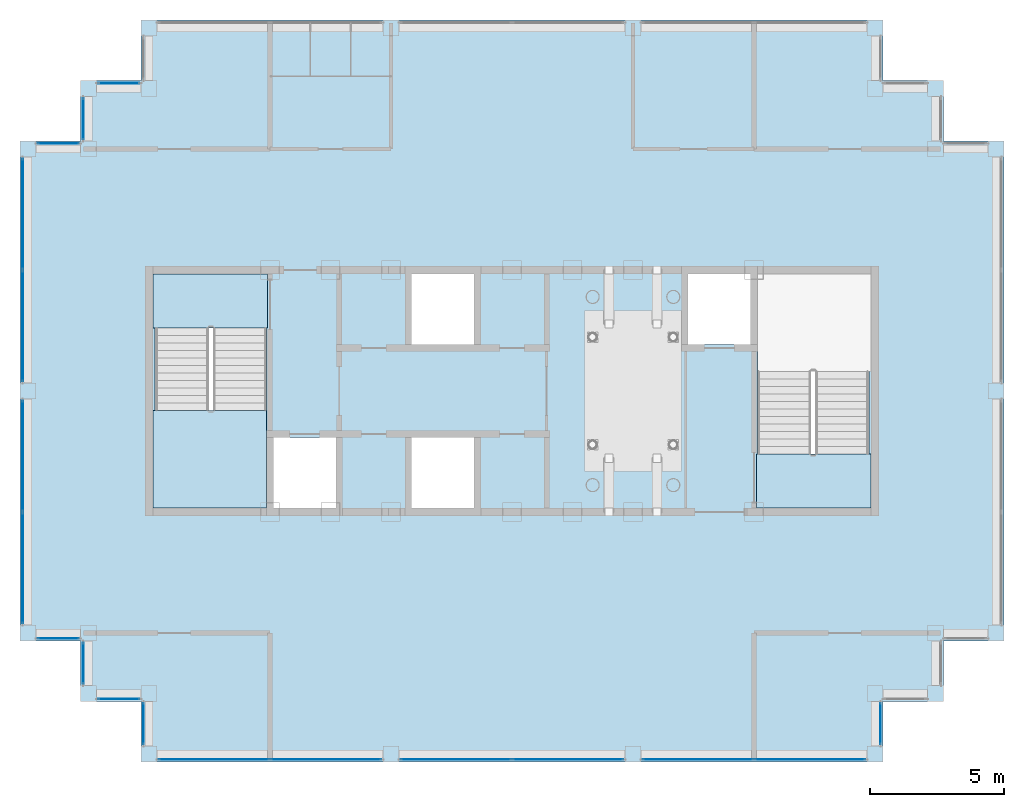
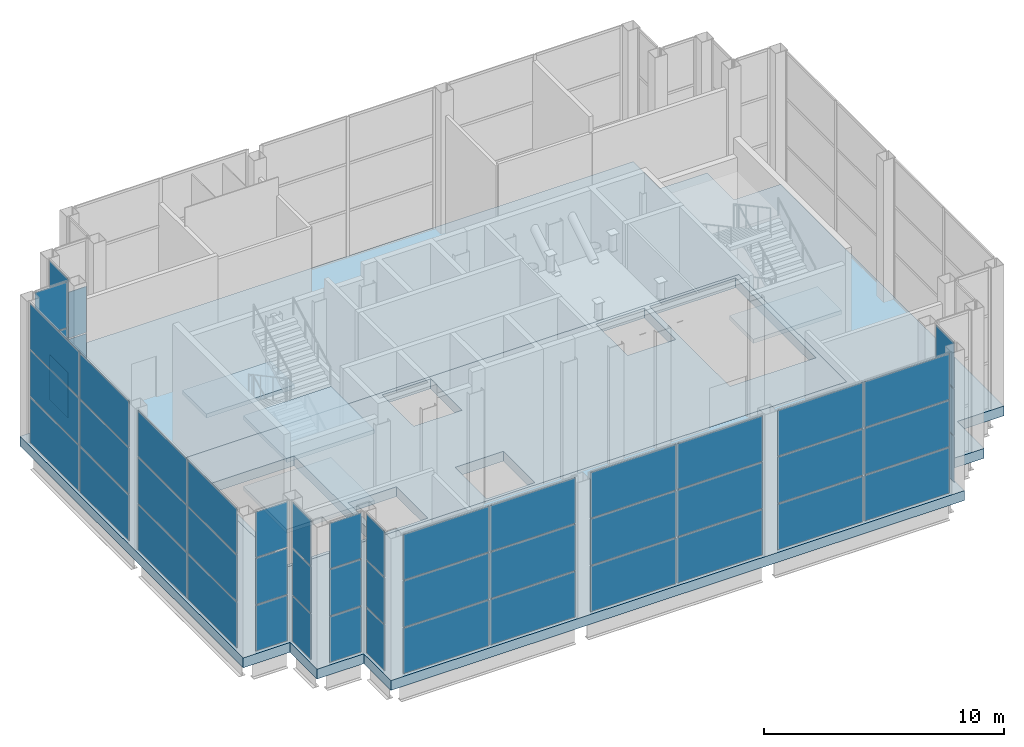
# One storey, part 7 of 15: 53 plates, 6 slabs, 15 elements without a shape of their own.
"""IFC4 building model written with IfcOpenShell, lengths in metres."""

from ifc_helpers import new_model, si_unit, direction, frame, origin, origin_2d, place, context, subcontext, project, spatial, polyline, rectangle, outline, extrude, material, layer, layer_set, type_object, element, aggregate, save


model = new_model("IFC4")

# Units and contexts
model_context = context("Model", 3, precision=1e-05, world=origin(), true_north=direction((0.0, 1.0)))
body_context = subcontext(model_context, "Body", "Model", "MODEL_VIEW")
ifc_project = project(units=[si_unit("LENGTHUNIT", "METRE"), si_unit("AREAUNIT", "SQUARE_METRE"), si_unit("VOLUMEUNIT", "CUBIC_METRE"), si_unit("PLANEANGLEUNIT", "RADIAN"), si_unit("MASSUNIT", "GRAM", prefix="KILO")], contexts=[model_context])

# Site, building, storey
site_placement = place(None, origin())
site = spatial("IfcSite", under=ifc_project, at=site_placement, CompositionType="ELEMENT")
building_placement = place(site_placement, origin())
building = spatial("IfcBuilding", under=site, at=building_placement, Name="Caravel Reach Hotel and Residences", CompositionType="ELEMENT")
storey_placement = place(building_placement, frame((0.0, 0.0, 305.60009765625)))
storey = spatial("IfcBuildingStorey", under=building, at=storey_placement, Name="L78", CompositionType="ELEMENT", Elevation=305.60009765625)

# Curtain wall, plates
ifc_material_1 = material(Name="Dark low-e glazing in black aluminium frame", Category="aluminium")
ifc_layer_1 = layer(ifc_material_1, 0.199951171875)
ifc_layer_set_1 = layer_set([ifc_layer_1], Name="CW3 Damper floor glass wall")
curtain_wall_type = type_object("IfcCurtainWallType", Name="CW3 Damper floor glass wall", PredefinedType="NOTDEFINED", material=ifc_layer_set_1)
curtain_wall_1_placement = place(storey_placement, origin())
curtain_wall_1 = element("IfcCurtainWall", 1, at=curtain_wall_1_placement, inside=storey, type_object=curtain_wall_type, Name="Damper floor glass wall b0", PredefinedType="NOTDEFINED")
ifc_material_2 = material(Name="Dark laminated low-e glass", Category="glass")
ifc_layer_2 = layer(ifc_material_2, 0.02392578125)
ifc_layer_set_2 = layer_set([ifc_layer_2], Name="CW glass panel 24")
plate_type = type_object("IfcPlateType", Name="CW glass panel 24", PredefinedType="CURTAIN_PANEL", material=ifc_layer_set_2)
plate_1_placement = place(storey_placement, frame((45.199951171875, 14.625, 0.059814453125), z_axis=(0.0, 0.0, 1.0), x_axis=(0.0, 1.0, 0.0)))
plate_1 = element("IfcPlate", 2, at=plate_1_placement, type_object=plate_type, Name="CW3 panel 1.1", PredefinedType="CURTAIN_PANEL", context=body_context, shape_type="SweptSolid", body=[
    extrude(rectangle(XDim=1.530029296875, YDim=0.02392578125, at=origin_2d()), origin(), (0.0, 0.0, 1.0), 2.31005859375),
])
plate_2_placement = place(storey_placement, frame((45.199951171875, 14.625, 2.4296875), z_axis=(0.0, 0.0, 1.0), x_axis=(0.0, 1.0, 0.0)))
plate_2 = element("IfcPlate", 3, at=plate_2_placement, type_object=plate_type, Name="CW3 panel 1.2", PredefinedType="CURTAIN_PANEL", context=body_context, shape_type="SweptSolid", body=[
    extrude(rectangle(XDim=1.530029296875, YDim=0.02392578125, at=origin_2d()), origin(), (0.0, 0.0, 1.0), 2.340087890625),
])
plate_3_placement = place(storey_placement, frame((45.199951171875, 14.625, 4.829833984375), z_axis=(0.0, 0.0, 1.0), x_axis=(0.0, 1.0, 0.0)))
plate_3 = element("IfcPlate", 4, at=plate_3_placement, type_object=plate_type, Name="CW3 panel 1.3", PredefinedType="CURTAIN_PANEL", context=body_context, shape_type="SweptSolid", body=[
    extrude(rectangle(XDim=1.530029296875, YDim=0.02392578125, at=origin_2d()), origin(), (0.0, 0.0, 1.0), 2.31005859375),
])
aggregate(curtain_wall_1, [plate_1, plate_2, plate_3])

curtain_wall_2_placement = place(storey_placement, origin())
curtain_wall_2 = element("IfcCurtainWall", 5, at=curtain_wall_2_placement, inside=storey, type_object=curtain_wall_type, Name="Damper floor glass wall b0", PredefinedType="NOTDEFINED")
plate_4_placement = place(storey_placement, frame((16.875, 38.449951171875, 0.059814453125), z_axis=(0.0, 0.0, 1.0), x_axis=(-1.0, 0.0, 0.0)))
plate_4 = element("IfcPlate", 6, at=plate_4_placement, type_object=plate_type, Name="CW3 panel 1.1", PredefinedType="CURTAIN_PANEL", context=body_context, shape_type="SweptSolid", body=[
    extrude(rectangle(XDim=1.530029296875, YDim=0.02392578125, at=origin_2d()), origin(), (0.0, 0.0, 1.0), 2.31005859375),
])
plate_5_placement = place(storey_placement, frame((16.875, 38.449951171875, 2.4296875), z_axis=(0.0, 0.0, 1.0), x_axis=(-1.0, 0.0, 0.0)))
plate_5 = element("IfcPlate", 7, at=plate_5_placement, type_object=plate_type, Name="CW3 panel 1.2", PredefinedType="CURTAIN_PANEL", context=body_context, shape_type="SweptSolid", body=[
    extrude(rectangle(XDim=1.530029296875, YDim=0.02392578125, at=origin_2d()), origin(), (0.0, 0.0, 1.0), 2.340087890625),
])
aggregate(curtain_wall_2, [plate_4, plate_5])

curtain_wall_3_placement = place(storey_placement, origin())
curtain_wall_3 = element("IfcCurtainWall", 8, at=curtain_wall_3_placement, inside=storey, type_object=curtain_wall_type, Name="Damper floor glass wall b0", PredefinedType="NOTDEFINED")
plate_6_placement = place(storey_placement, frame((15.550048828125, 37.125, 0.059814453125), z_axis=(0.0, 0.0, 1.0), x_axis=(0.0, -1.0, 0.0)))
plate_6 = element("IfcPlate", 9, at=plate_6_placement, type_object=plate_type, Name="CW3 panel 1.1", PredefinedType="CURTAIN_PANEL", context=body_context, shape_type="SweptSolid", body=[
    extrude(rectangle(XDim=1.530029296875, YDim=0.02392578125, at=origin_2d()), origin(), (0.0, 0.0, 1.0), 2.31005859375),
])
plate_7_placement = place(storey_placement, frame((15.550048828125, 37.125, 2.4296875), z_axis=(0.0, 0.0, 1.0), x_axis=(0.0, -1.0, 0.0)))
plate_7 = element("IfcPlate", 10, at=plate_7_placement, type_object=plate_type, Name="CW3 panel 1.2", PredefinedType="CURTAIN_PANEL", context=body_context, shape_type="SweptSolid", body=[
    extrude(rectangle(XDim=1.530029296875, YDim=0.02392578125, at=origin_2d()), origin(), (0.0, 0.0, 1.0), 2.340087890625),
])
plate_8_placement = place(storey_placement, frame((15.550048828125, 37.125, 4.829833984375), z_axis=(0.0, 0.0, 1.0), x_axis=(0.0, -1.0, 0.0)))
plate_8 = element("IfcPlate", 11, at=plate_8_placement, type_object=plate_type, Name="CW3 panel 1.3", PredefinedType="CURTAIN_PANEL", context=body_context, shape_type="SweptSolid", body=[
    extrude(rectangle(XDim=1.530029296875, YDim=0.02392578125, at=origin_2d()), origin(), (0.0, 0.0, 1.0), 2.31005859375),
])
aggregate(curtain_wall_3, [plate_6, plate_7, plate_8])

curtain_wall_4_placement = place(storey_placement, origin())
curtain_wall_4 = element("IfcCurtainWall", 12, at=curtain_wall_4_placement, inside=storey, type_object=curtain_wall_type, Name="Damper floor glass wall b0", PredefinedType="NOTDEFINED")
plate_9_placement = place(storey_placement, frame((14.625, 36.199951171875, 0.059814453125), z_axis=(0.0, 0.0, 1.0), x_axis=(-1.0, 0.0, 0.0)))
plate_9 = element("IfcPlate", 13, at=plate_9_placement, type_object=plate_type, Name="CW3 panel 1.1", PredefinedType="CURTAIN_PANEL", context=body_context, shape_type="SweptSolid", body=[
    extrude(rectangle(XDim=1.530029296875, YDim=0.02392578125, at=origin_2d()), origin(), (0.0, 0.0, 1.0), 2.31005859375),
])
plate_10_placement = place(storey_placement, frame((14.625, 36.199951171875, 2.4296875), z_axis=(0.0, 0.0, 1.0), x_axis=(-1.0, 0.0, 0.0)))
plate_10 = element("IfcPlate", 14, at=plate_10_placement, type_object=plate_type, Name="CW3 panel 1.2", PredefinedType="CURTAIN_PANEL", context=body_context, shape_type="SweptSolid", body=[
    extrude(rectangle(XDim=1.530029296875, YDim=0.02392578125, at=origin_2d()), origin(), (0.0, 0.0, 1.0), 2.340087890625),
])
plate_11_placement = place(storey_placement, frame((14.625, 36.199951171875, 4.829833984375), z_axis=(0.0, 0.0, 1.0), x_axis=(-1.0, 0.0, 0.0)))
plate_11 = element("IfcPlate", 15, at=plate_11_placement, type_object=plate_type, Name="CW3 panel 1.3", PredefinedType="CURTAIN_PANEL", context=body_context, shape_type="SweptSolid", body=[
    extrude(rectangle(XDim=1.530029296875, YDim=0.02392578125, at=origin_2d()), origin(), (0.0, 0.0, 1.0), 2.31005859375),
])
aggregate(curtain_wall_4, [plate_9, plate_10, plate_11])

curtain_wall_5_placement = place(storey_placement, origin())
curtain_wall_5 = element("IfcCurtainWall", 16, at=curtain_wall_5_placement, inside=storey, type_object=curtain_wall_type, Name="Damper floor glass wall b0", PredefinedType="NOTDEFINED")
plate_12_placement = place(storey_placement, frame((13.300048828125, 33.5849609375, 0.059814453125), z_axis=(0.0, 0.0, 1.0), x_axis=(0.0, -1.0, 0.0)))
plate_12 = element("IfcPlate", 17, at=plate_12_placement, type_object=plate_type, Name="CW3 panel 1.1", PredefinedType="CURTAIN_PANEL", context=body_context, shape_type="SweptSolid", body=[
    extrude(rectangle(XDim=4.110107421875, YDim=0.02392578125, at=origin_2d()), origin(), (0.0, 0.0, 1.0), 2.31005859375),
])
plate_13_placement = place(storey_placement, frame((13.300048828125, 33.5849609375, 2.4296875), z_axis=(0.0, 0.0, 1.0), x_axis=(0.0, -1.0, 0.0)))
plate_13 = element("IfcPlate", 18, at=plate_13_placement, type_object=plate_type, Name="CW3 panel 1.2", PredefinedType="CURTAIN_PANEL", context=body_context, shape_type="SweptSolid", body=[
    extrude(rectangle(XDim=4.110107421875, YDim=0.02392578125, at=origin_2d()), origin(), (0.0, 0.0, 1.0), 2.340087890625),
])
plate_14_placement = place(storey_placement, frame((13.300048828125, 33.5849609375, 4.829833984375), z_axis=(0.0, 0.0, 1.0), x_axis=(0.0, -1.0, 0.0)))
plate_14 = element("IfcPlate", 19, at=plate_14_placement, type_object=plate_type, Name="CW3 panel 1.3", PredefinedType="CURTAIN_PANEL", context=body_context, shape_type="SweptSolid", body=[
    extrude(rectangle(XDim=4.110107421875, YDim=0.02392578125, at=origin_2d()), origin(), (0.0, 0.0, 1.0), 2.31005859375),
])
plate_15_placement = place(storey_placement, frame((13.300048828125, 29.4150390625, 0.059814453125), z_axis=(0.0, 0.0, 1.0), x_axis=(0.0, -1.0, 0.0)))
plate_15 = element("IfcPlate", 20, at=plate_15_placement, type_object=plate_type, Name="CW3 panel 2.1", PredefinedType="CURTAIN_PANEL", context=body_context, shape_type="SweptSolid", body=[
    extrude(rectangle(XDim=4.110107421875, YDim=0.02392578125, at=origin_2d()), origin(), (0.0, 0.0, 1.0), 2.31005859375),
])
plate_16_placement = place(storey_placement, frame((13.300048828125, 29.4150390625, 2.4296875), z_axis=(0.0, 0.0, 1.0), x_axis=(0.0, -1.0, 0.0)))
plate_16 = element("IfcPlate", 21, at=plate_16_placement, type_object=plate_type, Name="CW3 panel 2.2", PredefinedType="CURTAIN_PANEL", context=body_context, shape_type="SweptSolid", body=[
    extrude(rectangle(XDim=4.110107421875, YDim=0.02392578125, at=origin_2d()), origin(), (0.0, 0.0, 1.0), 2.340087890625),
])
plate_17_placement = place(storey_placement, frame((13.300048828125, 29.4150390625, 4.829833984375), z_axis=(0.0, 0.0, 1.0), x_axis=(0.0, -1.0, 0.0)))
plate_17 = element("IfcPlate", 22, at=plate_17_placement, type_object=plate_type, Name="CW3 panel 2.3", PredefinedType="CURTAIN_PANEL", context=body_context, shape_type="SweptSolid", body=[
    extrude(rectangle(XDim=4.110107421875, YDim=0.02392578125, at=origin_2d()), origin(), (0.0, 0.0, 1.0), 2.31005859375),
])
aggregate(curtain_wall_5, [plate_12, plate_13, plate_14, plate_15, plate_16, plate_17])

curtain_wall_6_placement = place(storey_placement, origin())
curtain_wall_6 = element("IfcCurtainWall", 23, at=curtain_wall_6_placement, inside=storey, type_object=curtain_wall_type, Name="Damper floor glass wall b1", PredefinedType="NOTDEFINED")
plate_18_placement = place(storey_placement, frame((13.300048828125, 24.5849609375, 0.059814453125), z_axis=(0.0, 0.0, 1.0), x_axis=(0.0, -1.0, 0.0)))
plate_18 = element("IfcPlate", 24, at=plate_18_placement, type_object=plate_type, Name="CW3 panel 1.1", PredefinedType="CURTAIN_PANEL", context=body_context, shape_type="SweptSolid", body=[
    extrude(rectangle(XDim=4.110107421875, YDim=0.02392578125, at=origin_2d()), origin(), (0.0, 0.0, 1.0), 2.31005859375),
])
plate_19_placement = place(storey_placement, frame((13.300048828125, 24.5849609375, 2.4296875), z_axis=(0.0, 0.0, 1.0), x_axis=(0.0, -1.0, 0.0)))
plate_19 = element("IfcPlate", 25, at=plate_19_placement, type_object=plate_type, Name="CW3 panel 1.2", PredefinedType="CURTAIN_PANEL", context=body_context, shape_type="SweptSolid", body=[
    extrude(rectangle(XDim=4.110107421875, YDim=0.02392578125, at=origin_2d()), origin(), (0.0, 0.0, 1.0), 2.340087890625),
])
plate_20_placement = place(storey_placement, frame((13.300048828125, 24.5849609375, 4.829833984375), z_axis=(0.0, 0.0, 1.0), x_axis=(0.0, -1.0, 0.0)))
plate_20 = element("IfcPlate", 26, at=plate_20_placement, type_object=plate_type, Name="CW3 panel 1.3", PredefinedType="CURTAIN_PANEL", context=body_context, shape_type="SweptSolid", body=[
    extrude(rectangle(XDim=4.110107421875, YDim=0.02392578125, at=origin_2d()), origin(), (0.0, 0.0, 1.0), 2.31005859375),
])
plate_21_placement = place(storey_placement, frame((13.300048828125, 20.4150390625, 0.059814453125), z_axis=(0.0, 0.0, 1.0), x_axis=(0.0, -1.0, 0.0)))
plate_21 = element("IfcPlate", 27, at=plate_21_placement, type_object=plate_type, Name="CW3 panel 2.1", PredefinedType="CURTAIN_PANEL", context=body_context, shape_type="SweptSolid", body=[
    extrude(rectangle(XDim=4.110107421875, YDim=0.02392578125, at=origin_2d()), origin(), (0.0, 0.0, 1.0), 2.31005859375),
])
plate_22_placement = place(storey_placement, frame((13.300048828125, 20.4150390625, 2.4296875), z_axis=(0.0, 0.0, 1.0), x_axis=(0.0, -1.0, 0.0)))
plate_22 = element("IfcPlate", 28, at=plate_22_placement, type_object=plate_type, Name="CW3 panel 2.2", PredefinedType="CURTAIN_PANEL", context=body_context, shape_type="SweptSolid", body=[
    extrude(rectangle(XDim=4.110107421875, YDim=0.02392578125, at=origin_2d()), origin(), (0.0, 0.0, 1.0), 2.340087890625),
])
plate_23_placement = place(storey_placement, frame((13.300048828125, 20.4150390625, 4.829833984375), z_axis=(0.0, 0.0, 1.0), x_axis=(0.0, -1.0, 0.0)))
plate_23 = element("IfcPlate", 29, at=plate_23_placement, type_object=plate_type, Name="CW3 panel 2.3", PredefinedType="CURTAIN_PANEL", context=body_context, shape_type="SweptSolid", body=[
    extrude(rectangle(XDim=4.110107421875, YDim=0.02392578125, at=origin_2d()), origin(), (0.0, 0.0, 1.0), 2.31005859375),
])
aggregate(curtain_wall_6, [plate_18, plate_19, plate_20, plate_21, plate_22, plate_23])

curtain_wall_7_placement = place(storey_placement, origin())
curtain_wall_7 = element("IfcCurtainWall", 30, at=curtain_wall_7_placement, inside=storey, type_object=curtain_wall_type, Name="Damper floor glass wall b0", PredefinedType="NOTDEFINED")
plate_24_placement = place(storey_placement, frame((14.625, 17.800048828125, 0.059814453125), z_axis=(0.0, 0.0, 1.0), x_axis=(1.0, 0.0, 0.0)))
plate_24 = element("IfcPlate", 31, at=plate_24_placement, type_object=plate_type, Name="CW3 panel 1.1", PredefinedType="CURTAIN_PANEL", context=body_context, shape_type="SweptSolid", body=[
    extrude(rectangle(XDim=1.530029296875, YDim=0.02392578125, at=origin_2d()), origin(), (0.0, 0.0, 1.0), 2.31005859375),
])
plate_25_placement = place(storey_placement, frame((14.625, 17.800048828125, 2.4296875), z_axis=(0.0, 0.0, 1.0), x_axis=(1.0, 0.0, 0.0)))
plate_25 = element("IfcPlate", 32, at=plate_25_placement, type_object=plate_type, Name="CW3 panel 1.2", PredefinedType="CURTAIN_PANEL", context=body_context, shape_type="SweptSolid", body=[
    extrude(rectangle(XDim=1.530029296875, YDim=0.02392578125, at=origin_2d()), origin(), (0.0, 0.0, 1.0), 2.340087890625),
])
plate_26_placement = place(storey_placement, frame((14.625, 17.800048828125, 4.829833984375), z_axis=(0.0, 0.0, 1.0), x_axis=(1.0, 0.0, 0.0)))
plate_26 = element("IfcPlate", 33, at=plate_26_placement, type_object=plate_type, Name="CW3 panel 1.3", PredefinedType="CURTAIN_PANEL", context=body_context, shape_type="SweptSolid", body=[
    extrude(rectangle(XDim=1.530029296875, YDim=0.02392578125, at=origin_2d()), origin(), (0.0, 0.0, 1.0), 2.31005859375),
])
aggregate(curtain_wall_7, [plate_24, plate_25, plate_26])

curtain_wall_8_placement = place(storey_placement, origin())
curtain_wall_8 = element("IfcCurtainWall", 34, at=curtain_wall_8_placement, inside=storey, type_object=curtain_wall_type, Name="Damper floor glass wall b0", PredefinedType="NOTDEFINED")
plate_27_placement = place(storey_placement, frame((15.550048828125, 16.875, 0.059814453125), z_axis=(0.0, 0.0, 1.0), x_axis=(0.0, -1.0, 0.0)))
plate_27 = element("IfcPlate", 35, at=plate_27_placement, type_object=plate_type, Name="CW3 panel 1.1", PredefinedType="CURTAIN_PANEL", context=body_context, shape_type="SweptSolid", body=[
    extrude(rectangle(XDim=1.530029296875, YDim=0.02392578125, at=origin_2d()), origin(), (0.0, 0.0, 1.0), 2.31005859375),
])
plate_28_placement = place(storey_placement, frame((15.550048828125, 16.875, 2.4296875), z_axis=(0.0, 0.0, 1.0), x_axis=(0.0, -1.0, 0.0)))
plate_28 = element("IfcPlate", 36, at=plate_28_placement, type_object=plate_type, Name="CW3 panel 1.2", PredefinedType="CURTAIN_PANEL", context=body_context, shape_type="SweptSolid", body=[
    extrude(rectangle(XDim=1.530029296875, YDim=0.02392578125, at=origin_2d()), origin(), (0.0, 0.0, 1.0), 2.340087890625),
])
plate_29_placement = place(storey_placement, frame((15.550048828125, 16.875, 4.829833984375), z_axis=(0.0, 0.0, 1.0), x_axis=(0.0, -1.0, 0.0)))
plate_29 = element("IfcPlate", 37, at=plate_29_placement, type_object=plate_type, Name="CW3 panel 1.3", PredefinedType="CURTAIN_PANEL", context=body_context, shape_type="SweptSolid", body=[
    extrude(rectangle(XDim=1.530029296875, YDim=0.02392578125, at=origin_2d()), origin(), (0.0, 0.0, 1.0), 2.31005859375),
])
aggregate(curtain_wall_8, [plate_27, plate_28, plate_29])

curtain_wall_9_placement = place(storey_placement, origin())
curtain_wall_9 = element("IfcCurtainWall", 38, at=curtain_wall_9_placement, inside=storey, type_object=curtain_wall_type, Name="Damper floor glass wall b0", PredefinedType="NOTDEFINED")
plate_30_placement = place(storey_placement, frame((16.875, 15.550048828125, 0.059814453125), z_axis=(0.0, 0.0, 1.0), x_axis=(1.0, 0.0, 0.0)))
plate_30 = element("IfcPlate", 39, at=plate_30_placement, type_object=plate_type, Name="CW3 panel 1.1", PredefinedType="CURTAIN_PANEL", context=body_context, shape_type="SweptSolid", body=[
    extrude(rectangle(XDim=1.530029296875, YDim=0.02392578125, at=origin_2d()), origin(), (0.0, 0.0, 1.0), 2.31005859375),
])
plate_31_placement = place(storey_placement, frame((16.875, 15.550048828125, 2.4296875), z_axis=(0.0, 0.0, 1.0), x_axis=(1.0, 0.0, 0.0)))
plate_31 = element("IfcPlate", 40, at=plate_31_placement, type_object=plate_type, Name="CW3 panel 1.2", PredefinedType="CURTAIN_PANEL", context=body_context, shape_type="SweptSolid", body=[
    extrude(rectangle(XDim=1.530029296875, YDim=0.02392578125, at=origin_2d()), origin(), (0.0, 0.0, 1.0), 2.340087890625),
])
plate_32_placement = place(storey_placement, frame((16.875, 15.550048828125, 4.829833984375), z_axis=(0.0, 0.0, 1.0), x_axis=(1.0, 0.0, 0.0)))
plate_32 = element("IfcPlate", 41, at=plate_32_placement, type_object=plate_type, Name="CW3 panel 1.3", PredefinedType="CURTAIN_PANEL", context=body_context, shape_type="SweptSolid", body=[
    extrude(rectangle(XDim=1.530029296875, YDim=0.02392578125, at=origin_2d()), origin(), (0.0, 0.0, 1.0), 2.31005859375),
])
aggregate(curtain_wall_9, [plate_30, plate_31, plate_32])

curtain_wall_10_placement = place(storey_placement, origin())
curtain_wall_10 = element("IfcCurtainWall", 42, at=curtain_wall_10_placement, inside=storey, type_object=curtain_wall_type, Name="Damper floor glass wall b0", PredefinedType="NOTDEFINED")
plate_33_placement = place(storey_placement, frame((17.800048828125, 14.625, 0.059814453125), z_axis=(0.0, 0.0, 1.0), x_axis=(0.0, -1.0, 0.0)))
plate_33 = element("IfcPlate", 43, at=plate_33_placement, type_object=plate_type, Name="CW3 panel 1.1", PredefinedType="CURTAIN_PANEL", context=body_context, shape_type="SweptSolid", body=[
    extrude(rectangle(XDim=1.530029296875, YDim=0.02392578125, at=origin_2d()), origin(), (0.0, 0.0, 1.0), 2.31005859375),
])
plate_34_placement = place(storey_placement, frame((17.800048828125, 14.625, 2.4296875), z_axis=(0.0, 0.0, 1.0), x_axis=(0.0, -1.0, 0.0)))
plate_34 = element("IfcPlate", 44, at=plate_34_placement, type_object=plate_type, Name="CW3 panel 1.2", PredefinedType="CURTAIN_PANEL", context=body_context, shape_type="SweptSolid", body=[
    extrude(rectangle(XDim=1.530029296875, YDim=0.02392578125, at=origin_2d()), origin(), (0.0, 0.0, 1.0), 2.340087890625),
])
plate_35_placement = place(storey_placement, frame((17.800048828125, 14.625, 4.829833984375), z_axis=(0.0, 0.0, 1.0), x_axis=(0.0, -1.0, 0.0)))
plate_35 = element("IfcPlate", 45, at=plate_35_placement, type_object=plate_type, Name="CW3 panel 1.3", PredefinedType="CURTAIN_PANEL", context=body_context, shape_type="SweptSolid", body=[
    extrude(rectangle(XDim=1.530029296875, YDim=0.02392578125, at=origin_2d()), origin(), (0.0, 0.0, 1.0), 2.31005859375),
])
aggregate(curtain_wall_10, [plate_33, plate_34, plate_35])

curtain_wall_11_placement = place(storey_placement, origin())
curtain_wall_11 = element("IfcCurtainWall", 46, at=curtain_wall_11_placement, inside=storey, type_object=curtain_wall_type, Name="Damper floor glass wall b0", PredefinedType="NOTDEFINED")
plate_36_placement = place(storey_placement, frame((20.4150390625, 13.300048828125, 0.059814453125), z_axis=(0.0, 0.0, 1.0), x_axis=(1.0, 0.0, 0.0)))
plate_36 = element("IfcPlate", 47, at=plate_36_placement, type_object=plate_type, Name="CW3 panel 1.1", PredefinedType="CURTAIN_PANEL", context=body_context, shape_type="SweptSolid", body=[
    extrude(rectangle(XDim=4.110107421875, YDim=0.02392578125, at=origin_2d()), origin(), (0.0, 0.0, 1.0), 2.31005859375),
])
plate_37_placement = place(storey_placement, frame((20.4150390625, 13.300048828125, 2.4296875), z_axis=(0.0, 0.0, 1.0), x_axis=(1.0, 0.0, 0.0)))
plate_37 = element("IfcPlate", 48, at=plate_37_placement, type_object=plate_type, Name="CW3 panel 1.2", PredefinedType="CURTAIN_PANEL", context=body_context, shape_type="SweptSolid", body=[
    extrude(rectangle(XDim=4.110107421875, YDim=0.02392578125, at=origin_2d()), origin(), (0.0, 0.0, 1.0), 2.340087890625),
])
plate_38_placement = place(storey_placement, frame((20.4150390625, 13.300048828125, 4.829833984375), z_axis=(0.0, 0.0, 1.0), x_axis=(1.0, 0.0, 0.0)))
plate_38 = element("IfcPlate", 49, at=plate_38_placement, type_object=plate_type, Name="CW3 panel 1.3", PredefinedType="CURTAIN_PANEL", context=body_context, shape_type="SweptSolid", body=[
    extrude(rectangle(XDim=4.110107421875, YDim=0.02392578125, at=origin_2d()), origin(), (0.0, 0.0, 1.0), 2.31005859375),
])
plate_39_placement = place(storey_placement, frame((24.5849609375, 13.300048828125, 0.059814453125), z_axis=(0.0, 0.0, 1.0), x_axis=(1.0, 0.0, 0.0)))
plate_39 = element("IfcPlate", 50, at=plate_39_placement, type_object=plate_type, Name="CW3 panel 2.1", PredefinedType="CURTAIN_PANEL", context=body_context, shape_type="SweptSolid", body=[
    extrude(rectangle(XDim=4.110107421875, YDim=0.02392578125, at=origin_2d()), origin(), (0.0, 0.0, 1.0), 2.31005859375),
])
plate_40_placement = place(storey_placement, frame((24.5849609375, 13.300048828125, 2.4296875), z_axis=(0.0, 0.0, 1.0), x_axis=(1.0, 0.0, 0.0)))
plate_40 = element("IfcPlate", 51, at=plate_40_placement, type_object=plate_type, Name="CW3 panel 2.2", PredefinedType="CURTAIN_PANEL", context=body_context, shape_type="SweptSolid", body=[
    extrude(rectangle(XDim=4.110107421875, YDim=0.02392578125, at=origin_2d()), origin(), (0.0, 0.0, 1.0), 2.340087890625),
])
plate_41_placement = place(storey_placement, frame((24.5849609375, 13.300048828125, 4.829833984375), z_axis=(0.0, 0.0, 1.0), x_axis=(1.0, 0.0, 0.0)))
plate_41 = element("IfcPlate", 52, at=plate_41_placement, type_object=plate_type, Name="CW3 panel 2.3", PredefinedType="CURTAIN_PANEL", context=body_context, shape_type="SweptSolid", body=[
    extrude(rectangle(XDim=4.110107421875, YDim=0.02392578125, at=origin_2d()), origin(), (0.0, 0.0, 1.0), 2.31005859375),
])
aggregate(curtain_wall_11, [plate_36, plate_37, plate_38, plate_39, plate_40, plate_41])

curtain_wall_12_placement = place(storey_placement, origin())
curtain_wall_12 = element("IfcCurtainWall", 53, at=curtain_wall_12_placement, inside=storey, type_object=curtain_wall_type, Name="Damper floor glass wall b1", PredefinedType="NOTDEFINED")
plate_42_placement = place(storey_placement, frame((29.4150390625, 13.300048828125, 0.059814453125), z_axis=(0.0, 0.0, 1.0), x_axis=(1.0, 0.0, 0.0)))
plate_42 = element("IfcPlate", 54, at=plate_42_placement, type_object=plate_type, Name="CW3 panel 1.1", PredefinedType="CURTAIN_PANEL", context=body_context, shape_type="SweptSolid", body=[
    extrude(rectangle(XDim=4.110107421875, YDim=0.02392578125, at=origin_2d()), origin(), (0.0, 0.0, 1.0), 2.31005859375),
])
plate_43_placement = place(storey_placement, frame((29.4150390625, 13.300048828125, 2.4296875), z_axis=(0.0, 0.0, 1.0), x_axis=(1.0, 0.0, 0.0)))
plate_43 = element("IfcPlate", 55, at=plate_43_placement, type_object=plate_type, Name="CW3 panel 1.2", PredefinedType="CURTAIN_PANEL", context=body_context, shape_type="SweptSolid", body=[
    extrude(rectangle(XDim=4.110107421875, YDim=0.02392578125, at=origin_2d()), origin(), (0.0, 0.0, 1.0), 2.340087890625),
])
plate_44_placement = place(storey_placement, frame((29.4150390625, 13.300048828125, 4.829833984375), z_axis=(0.0, 0.0, 1.0), x_axis=(1.0, 0.0, 0.0)))
plate_44 = element("IfcPlate", 56, at=plate_44_placement, type_object=plate_type, Name="CW3 panel 1.3", PredefinedType="CURTAIN_PANEL", context=body_context, shape_type="SweptSolid", body=[
    extrude(rectangle(XDim=4.110107421875, YDim=0.02392578125, at=origin_2d()), origin(), (0.0, 0.0, 1.0), 2.31005859375),
])
plate_45_placement = place(storey_placement, frame((33.5849609375, 13.300048828125, 0.059814453125), z_axis=(0.0, 0.0, 1.0), x_axis=(1.0, 0.0, 0.0)))
plate_45 = element("IfcPlate", 57, at=plate_45_placement, type_object=plate_type, Name="CW3 panel 2.1", PredefinedType="CURTAIN_PANEL", context=body_context, shape_type="SweptSolid", body=[
    extrude(rectangle(XDim=4.110107421875, YDim=0.02392578125, at=origin_2d()), origin(), (0.0, 0.0, 1.0), 2.31005859375),
])
plate_46_placement = place(storey_placement, frame((33.5849609375, 13.300048828125, 2.4296875), z_axis=(0.0, 0.0, 1.0), x_axis=(1.0, 0.0, 0.0)))
plate_46 = element("IfcPlate", 58, at=plate_46_placement, type_object=plate_type, Name="CW3 panel 2.2", PredefinedType="CURTAIN_PANEL", context=body_context, shape_type="SweptSolid", body=[
    extrude(rectangle(XDim=4.110107421875, YDim=0.02392578125, at=origin_2d()), origin(), (0.0, 0.0, 1.0), 2.340087890625),
])
plate_47_placement = place(storey_placement, frame((33.5849609375, 13.300048828125, 4.829833984375), z_axis=(0.0, 0.0, 1.0), x_axis=(1.0, 0.0, 0.0)))
plate_47 = element("IfcPlate", 59, at=plate_47_placement, type_object=plate_type, Name="CW3 panel 2.3", PredefinedType="CURTAIN_PANEL", context=body_context, shape_type="SweptSolid", body=[
    extrude(rectangle(XDim=4.110107421875, YDim=0.02392578125, at=origin_2d()), origin(), (0.0, 0.0, 1.0), 2.31005859375),
])
aggregate(curtain_wall_12, [plate_42, plate_43, plate_44, plate_45, plate_46, plate_47])

curtain_wall_13_placement = place(storey_placement, origin())
curtain_wall_13 = element("IfcCurtainWall", 60, at=curtain_wall_13_placement, inside=storey, type_object=curtain_wall_type, Name="Damper floor glass wall b2", PredefinedType="NOTDEFINED")
plate_48_placement = place(storey_placement, frame((38.4150390625, 13.300048828125, 0.059814453125), z_axis=(0.0, 0.0, 1.0), x_axis=(1.0, 0.0, 0.0)))
plate_48 = element("IfcPlate", 61, at=plate_48_placement, type_object=plate_type, Name="CW3 panel 1.1", PredefinedType="CURTAIN_PANEL", context=body_context, shape_type="SweptSolid", body=[
    extrude(rectangle(XDim=4.110107421875, YDim=0.02392578125, at=origin_2d()), origin(), (0.0, 0.0, 1.0), 2.31005859375),
])
plate_49_placement = place(storey_placement, frame((38.4150390625, 13.300048828125, 2.4296875), z_axis=(0.0, 0.0, 1.0), x_axis=(1.0, 0.0, 0.0)))
plate_49 = element("IfcPlate", 62, at=plate_49_placement, type_object=plate_type, Name="CW3 panel 1.2", PredefinedType="CURTAIN_PANEL", context=body_context, shape_type="SweptSolid", body=[
    extrude(rectangle(XDim=4.110107421875, YDim=0.02392578125, at=origin_2d()), origin(), (0.0, 0.0, 1.0), 2.340087890625),
])
plate_50_placement = place(storey_placement, frame((38.4150390625, 13.300048828125, 4.829833984375), z_axis=(0.0, 0.0, 1.0), x_axis=(1.0, 0.0, 0.0)))
plate_50 = element("IfcPlate", 63, at=plate_50_placement, type_object=plate_type, Name="CW3 panel 1.3", PredefinedType="CURTAIN_PANEL", context=body_context, shape_type="SweptSolid", body=[
    extrude(rectangle(XDim=4.110107421875, YDim=0.02392578125, at=origin_2d()), origin(), (0.0, 0.0, 1.0), 2.31005859375),
])
plate_51_placement = place(storey_placement, frame((42.5849609375, 13.300048828125, 0.059814453125), z_axis=(0.0, 0.0, 1.0), x_axis=(1.0, 0.0, 0.0)))
plate_51 = element("IfcPlate", 64, at=plate_51_placement, type_object=plate_type, Name="CW3 panel 2.1", PredefinedType="CURTAIN_PANEL", context=body_context, shape_type="SweptSolid", body=[
    extrude(rectangle(XDim=4.110107421875, YDim=0.02392578125, at=origin_2d()), origin(), (0.0, 0.0, 1.0), 2.31005859375),
])
plate_52_placement = place(storey_placement, frame((42.5849609375, 13.300048828125, 2.4296875), z_axis=(0.0, 0.0, 1.0), x_axis=(1.0, 0.0, 0.0)))
plate_52 = element("IfcPlate", 65, at=plate_52_placement, type_object=plate_type, Name="CW3 panel 2.2", PredefinedType="CURTAIN_PANEL", context=body_context, shape_type="SweptSolid", body=[
    extrude(rectangle(XDim=4.110107421875, YDim=0.02392578125, at=origin_2d()), origin(), (0.0, 0.0, 1.0), 2.340087890625),
])
plate_53_placement = place(storey_placement, frame((42.5849609375, 13.300048828125, 4.829833984375), z_axis=(0.0, 0.0, 1.0), x_axis=(1.0, 0.0, 0.0)))
plate_53 = element("IfcPlate", 66, at=plate_53_placement, type_object=plate_type, Name="CW3 panel 2.3", PredefinedType="CURTAIN_PANEL", context=body_context, shape_type="SweptSolid", body=[
    extrude(rectangle(XDim=4.110107421875, YDim=0.02392578125, at=origin_2d()), origin(), (0.0, 0.0, 1.0), 2.31005859375),
])
aggregate(curtain_wall_13, [plate_48, plate_49, plate_50, plate_51, plate_52, plate_53])

# Slab
ifc_material_3 = material(Name="Concrete C40", Category="concrete")
ifc_layer_3 = layer(ifc_material_3, 0.5)
ifc_layer_set_3 = layer_set([ifc_layer_3], Name="Core floor slab 500 mm")
slab_type_1 = type_object("IfcSlabType", Name="Core floor slab 500 mm", PredefinedType="FLOOR", material=ifc_layer_set_3)
slab_1_placement = place(storey_placement, frame((0.0, 0.0, -0.5)))
element("IfcSlab", 67, at=slab_1_placement, inside=storey, type_object=slab_type_1, Name="L78 core floor", PredefinedType="FLOOR", context=body_context, shape_type="SweptSolid", body=[
    extrude(outline(polyline([(18.0, 31.5), (45.0, 31.5), (45.0, 22.5), (18.0, 22.5), (18.0, 31.5)]), holes=[polyline([(22.625, 22.64990234375), (24.9462890625, 22.64990234375), (24.9462890625, 25.27490234375), (22.625, 25.27490234375), (22.625, 22.64990234375)]), polyline([(27.767822265625, 25.27490234375), (27.767822265625, 22.64990234375), (30.08935546875, 22.64990234375), (30.08935546875, 25.27490234375), (27.767822265625, 25.27490234375)]), polyline([(22.375, 22.64990234375), (22.375, 29.35009765625), (18.22509765625, 29.35009765625), (18.22509765625, 22.64990234375), (22.375, 22.64990234375)]), polyline([(40.625, 24.64990234375), (44.77490234375, 24.64990234375), (44.77490234375, 31.35009765625), (40.625, 31.35009765625), (40.625, 24.64990234375)]), polyline([(27.767822265625, 31.35009765625), (27.767822265625, 28.72509765625), (30.08935546875, 28.72509765625), (30.08935546875, 31.35009765625), (27.767822265625, 31.35009765625)]), polyline([(38.0537109375, 31.35009765625), (38.0537109375, 28.72509765625), (40.375, 28.72509765625), (40.375, 31.35009765625), (38.0537109375, 31.35009765625)])]), origin(), (0.0, 0.0, 1.0), 0.5),
])

# Stair, slabs
ifc_material_4 = material(Name="Concrete C40", Category="concrete")
stair_type = type_object("IfcStairType", Name="Core stair", PredefinedType="HALF_TURN_STAIR", material=ifc_material_4)
stair_1_placement = place(storey_placement, origin())
stair_1 = element("IfcStair", 68, at=stair_1_placement, inside=storey, type_object=stair_type, Name="L78 Exit stair A", PredefinedType="HALF_TURN_STAIR")
ifc_material_5 = material(Name="Concrete C40", Category="concrete")
ifc_layer_4 = layer(ifc_material_5, 0.199951171875)
ifc_layer_set_4 = layer_set([ifc_layer_4], Name="Core stair landing")
slab_type_2 = type_object("IfcSlabType", Name="Core stair landing", PredefinedType="LANDING", material=ifc_layer_set_4)
slab_2_placement = place(storey_placement, frame((0.0, 0.0, 1.599853515625)))
slab_2 = element("IfcSlab", 69, at=slab_2_placement, type_object=slab_type_2, Name="ST-A landing 1", PredefinedType="LANDING", context=body_context, shape_type="SweptSolid", body=[
    extrude(outline(polyline([(18.14990234375, 26.27001953125), (18.14990234375, 22.64990234375), (22.375, 22.64990234375), (22.375, 26.27001953125), (18.14990234375, 26.27001953125)])), origin(), (0.0, 0.0, 1.0), 0.199951171875),
])
slab_3_placement = place(storey_placement, frame((0.0, 0.0, 3.39990234375)))
slab_3 = element("IfcSlab", 70, at=slab_3_placement, type_object=slab_type_2, Name="ST-A landing 2", PredefinedType="LANDING", context=body_context, shape_type="SweptSolid", body=[
    extrude(outline(polyline([(18.14990234375, 31.35009765625), (18.14990234375, 29.35009765625), (22.39990234375, 29.35009765625), (22.39990234375, 31.35009765625), (18.14990234375, 31.35009765625)])), origin(), (0.0, 0.0, 1.0), 0.199951171875),
])
slab_4_placement = place(storey_placement, frame((0.0, 0.0, 5.199951171875)))
slab_4 = element("IfcSlab", 71, at=slab_4_placement, type_object=slab_type_2, Name="ST-A landing 3", PredefinedType="LANDING", context=body_context, shape_type="SweptSolid", body=[
    extrude(outline(polyline([(18.14990234375, 26.27001953125), (18.14990234375, 22.64990234375), (22.375, 22.64990234375), (22.375, 26.27001953125), (18.14990234375, 26.27001953125)])), origin(), (0.0, 0.0, 1.0), 0.199951171875),
])
aggregate(stair_1, [slab_2, slab_3, slab_4])

# Stair, slab
stair_2_placement = place(storey_placement, origin())
stair_2 = element("IfcStair", 72, at=stair_2_placement, inside=storey, type_object=stair_type, Name="L78 Exit stair B", PredefinedType="HALF_TURN_STAIR")
slab_5_placement = place(storey_placement, frame((0.0, 0.0, 3.39990234375)))
slab_5 = element("IfcSlab", 73, at=slab_5_placement, type_object=slab_type_2, Name="ST-B landing 2", PredefinedType="LANDING", context=body_context, shape_type="SweptSolid", body=[
    extrude(outline(polyline([(44.85009765625, 22.64990234375), (44.85009765625, 24.64990234375), (40.60009765625, 24.64990234375), (40.60009765625, 22.64990234375), (44.85009765625, 22.64990234375)])), origin(), (0.0, 0.0, 1.0), 0.199951171875),
])
aggregate(stair_2, [slab_5])

# Slab
ifc_material_6 = material(Name="Concrete C40 post-tensioned", Category="concrete")
ifc_layer_5 = layer(ifc_material_6, 0.5)
ifc_layer_set_5 = layer_set([ifc_layer_5], Name="Floor slab 500")
slab_type_3 = type_object("IfcSlabType", Name="Floor slab 500", PredefinedType="FLOOR", material=ifc_layer_set_5)
slab_6_placement = place(storey_placement, frame((0.0, 0.0, -0.5)))
element("IfcSlab", 74, at=slab_6_placement, inside=storey, type_object=slab_type_3, Name="S5 slab L78", PredefinedType="FLOOR", context=body_context, shape_type="SweptSolid", body=[
    extrude(outline(polyline([(15.449951171875, 17.699951171875), (13.199951171875, 17.699951171875), (13.199951171875, 36.300048828125), (15.449951171875, 36.300048828125), (15.449951171875, 38.550048828125), (17.699951171875, 38.550048828125), (17.699951171875, 40.800048828125), (45.300048828125, 40.800048828125), (45.300048828125, 38.550048828125), (47.550048828125, 38.550048828125), (47.550048828125, 36.300048828125), (49.800048828125, 36.300048828125), (49.800048828125, 17.699951171875), (47.550048828125, 17.699951171875), (47.550048828125, 15.449951171875), (45.300048828125, 15.449951171875), (45.300048828125, 13.199951171875), (17.699951171875, 13.199951171875), (17.699951171875, 15.449951171875), (15.449951171875, 15.449951171875), (15.449951171875, 17.699951171875)]), holes=[polyline([(18.0, 31.5), (18.0, 22.5), (22.5, 22.5), (40.5, 22.5), (45.0, 22.5), (45.0, 31.5), (40.5, 31.5), (22.5, 31.5), (18.0, 31.5)])]), origin(), (0.0, 0.0, 1.0), 0.5),
])

save(model, "model.ifc")
